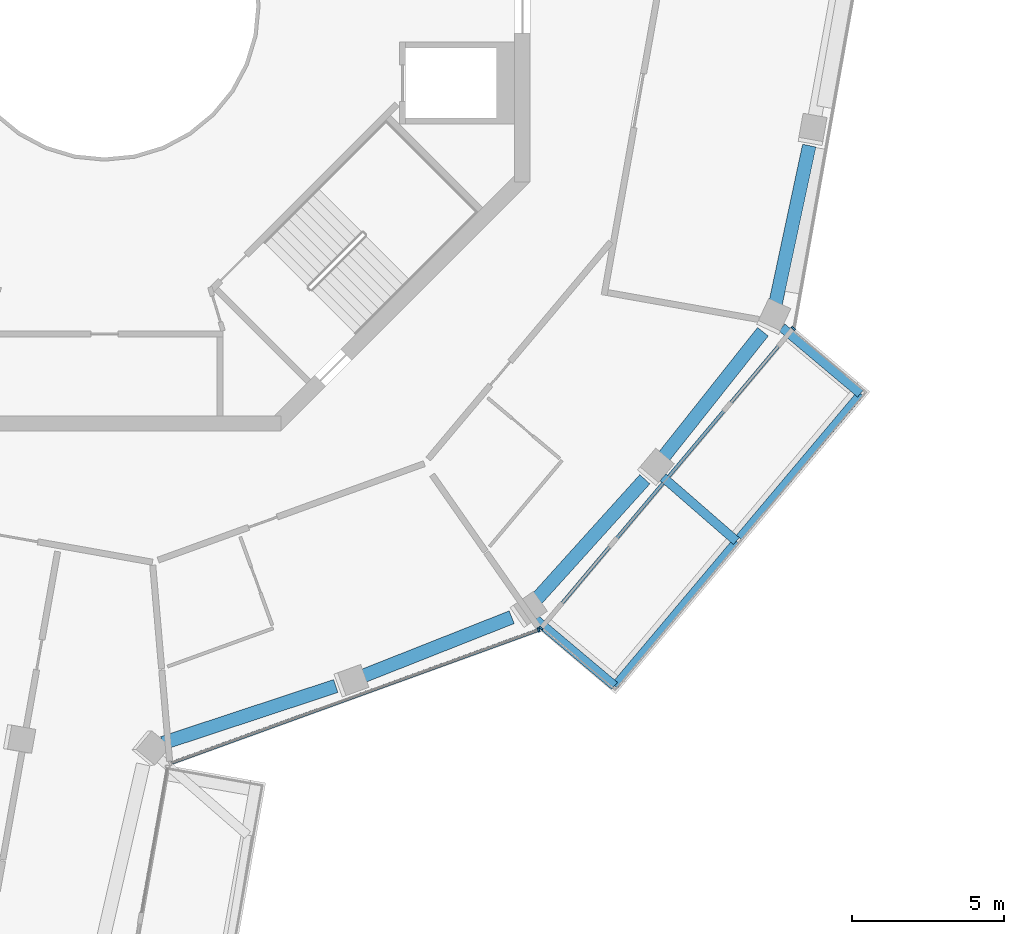
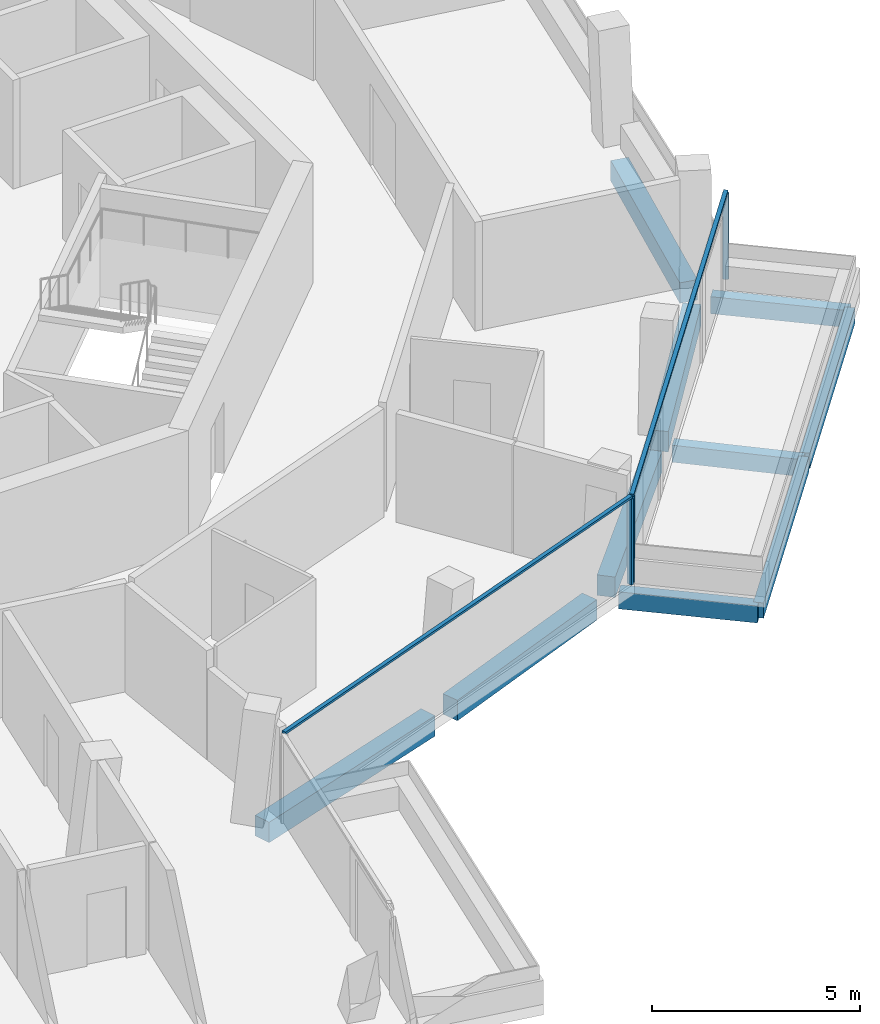
# One storey, part 4 of 22: 10 beams, 5 members, 2 elements without a shape of their own.
"""IFC4 building model written with IfcOpenShell, lengths in metres."""

from ifc_helpers import new_model, si_unit, direction, frame, origin, origin_2d, place, context, subcontext, project, spatial, rectangle, extrude, material, layer, layer_set, material_profile, profile_set, type_object, element, aggregate, save


model = new_model("IFC4")

# Units and contexts
model_context = context("Model", 3, precision=1e-05, world=origin(), true_north=direction((0.0, 1.0)))
body_context = subcontext(model_context, "Body", "Model", "MODEL_VIEW")
ifc_project = project(units=[si_unit("LENGTHUNIT", "METRE"), si_unit("AREAUNIT", "SQUARE_METRE"), si_unit("VOLUMEUNIT", "CUBIC_METRE"), si_unit("PLANEANGLEUNIT", "RADIAN"), si_unit("MASSUNIT", "GRAM", prefix="KILO")], contexts=[model_context])

# Site, building, storey
site_placement = place(None, origin())
site = spatial("IfcSite", under=ifc_project, at=site_placement, CompositionType="ELEMENT")
building_placement = place(site_placement, origin())
building = spatial("IfcBuilding", under=site, at=building_placement, Name="Verdalira Terraces Hotel", CompositionType="ELEMENT")
storey_placement = place(building_placement, frame((0.0, 0.0, 237.5)))
storey = spatial("IfcBuildingStorey", under=building, at=storey_placement, Name="L58", CompositionType="ELEMENT", Elevation=237.5)

# Beams
ifc_material_1 = material(Name="Concrete C40", Category="concrete")
ifc_material_profile_1 = material_profile(ifc_material_1, rectangle(XDim=0.300049, YDim=0.5, at=origin_2d()), Name="RC 300X500")
ifc_profile_set_1 = profile_set([ifc_material_profile_1], Name="Concrete C40")
beam_type_1 = type_object("IfcBeamType", Name="Balcony cantilever beam RC 300X500 C40", PredefinedType="BEAM", material=ifc_profile_set_1)
beam_1_placement = place(storey_placement, frame((14.190674, -20.201416, -0.560059), z_axis=(0.765116378, -0.643892016, 0.0), x_axis=(0.643892016, 0.765116378, 0.0)))
element("IfcBeam", 1, at=beam_1_placement, inside=storey, type_object=beam_type_1, Name="Balcony cantilever beam R26-1", PredefinedType="BEAM", context=body_context, shape_type="SweptSolid", body=[
    extrude(rectangle(XDim=0.300049, YDim=0.5, at=origin_2d()), origin(), (0.0, 0.0, 1.0), 3.393555),
])
beam_2_placement = place(storey_placement, frame((18.381104, -15.521973, -0.560059), z_axis=(0.754237561, -0.656601631, 0.0), x_axis=(0.656601631, 0.754237561, 0.0)))
element("IfcBeam", 2, at=beam_2_placement, inside=storey, type_object=beam_type_1, Name="Balcony cantilever beam R26-2", PredefinedType="BEAM", context=body_context, shape_type="SweptSolid", body=[
    extrude(rectangle(XDim=0.300049, YDim=0.5, at=origin_2d()), origin(), (0.0, 0.0, 1.0), 3.200684),
])
beam_3_placement = place(storey_placement, frame((22.295898, -10.592285, -0.560059), z_axis=(0.765162235, -0.643837521, 0.0), x_axis=(0.643837521, 0.765162235, 0.0)))
element("IfcBeam", 3, at=beam_3_placement, inside=storey, type_object=beam_type_1, Name="Balcony cantilever beam R26-3", PredefinedType="BEAM", context=body_context, shape_type="SweptSolid", body=[
    extrude(rectangle(XDim=0.300049, YDim=0.5, at=origin_2d()), origin(), (0.0, 0.0, 1.0), 3.378662),
])
ifc_material_2 = material(Name="Concrete C40", Category="concrete")
ifc_material_profile_2 = material_profile(ifc_material_2, rectangle(XDim=0.25, YDim=0.449951, at=origin_2d()), Name="RC 250X450")
ifc_profile_set_2 = profile_set([ifc_material_profile_2], Name="Concrete C40")
beam_type_2 = type_object("IfcBeamType", Name="Balcony edge beam RC 250X450 C40", PredefinedType="BEAM", material=ifc_profile_set_2)
beam_4_placement = place(storey_placement, frame((16.787109, -22.386475, -0.534912), z_axis=(0.643868797, 0.765135918, 0.0), x_axis=(-0.765135918, 0.643868797, 0.0)))
element("IfcBeam", 4, at=beam_4_placement, inside=storey, type_object=beam_type_2, Name="Balcony edge beam R26-1", PredefinedType="BEAM", context=body_context, shape_type="SweptSolid", body=[
    extrude(rectangle(XDim=0.25, YDim=0.449951, at=origin_2d()), origin(), (0.0, 0.0, 1.0), 6.224854),
])
beam_5_placement = place(storey_placement, frame((20.891846, -17.508789, -0.534912), z_axis=(0.643820224, 0.76517679, 0.0), x_axis=(-0.76517679, 0.643820224, 0.0)))
element("IfcBeam", 5, at=beam_5_placement, inside=storey, type_object=beam_type_2, Name="Balcony edge beam R26-2", PredefinedType="BEAM", context=body_context, shape_type="SweptSolid", body=[
    extrude(rectangle(XDim=0.25, YDim=0.449951, at=origin_2d()), origin(), (0.0, 0.0, 1.0), 6.196289),
])

# Curtain wall, member
ifc_material_3 = material(Name="Clear glass", Category="glass")
ifc_layer = layer(ifc_material_3, 0.14990234375)
ifc_layer_set = layer_set([ifc_layer], Name="CW1 curtain wall")
curtain_wall_type = type_object("IfcCurtainWallType", Name="CW1 curtain wall", PredefinedType="NOTDEFINED", material=ifc_layer_set)
curtain_wall_1_placement = place(storey_placement, origin())
curtain_wall_1 = element("IfcCurtainWall", 6, at=curtain_wall_1_placement, inside=storey, type_object=curtain_wall_type, Name="CW1 curtain wall L58 edge 25", PredefinedType="NOTDEFINED")
ifc_material_4 = material(Name="Terracotta frame", Category="masonry")
ifc_material_profile_3 = material_profile(ifc_material_4, rectangle(XDim=0.060059, YDim=0.149902, at=origin_2d()), Name="MU 60x150")
ifc_profile_set_3 = profile_set([ifc_material_profile_3], Name="Terracotta frame")
member_type_1 = type_object("IfcMemberType", Name="CW1 mullion 60x150", PredefinedType="MULLION", material=ifc_profile_set_3)
member_1_placement = place(storey_placement, frame((14.284668, -20.545654, 0.0), z_axis=(0.0, 0.0, 1.0), x_axis=(0.940169255, 0.340707752, 0.0)))
member_1 = element("IfcMember", 7, at=member_1_placement, type_object=member_type_1, Name="CW1 mullion", PredefinedType="MULLION", context=body_context, shape_type="SweptSolid", body=[
    extrude(rectangle(XDim=0.060059, YDim=0.149902, at=origin_2d()), origin(), (0.0, 0.0, 1.0), 2.524902),
])

# Curtain wall, members
curtain_wall_2_placement = place(storey_placement, origin())
curtain_wall_2 = element("IfcCurtainWall", 8, at=curtain_wall_2_placement, inside=storey, type_object=curtain_wall_type, Name="CW1 curtain wall L58 edge 26", PredefinedType="NOTDEFINED")
member_2_placement = place(storey_placement, frame((14.364014, -20.490234, 0.0), z_axis=(0.0, 0.0, 1.0), x_axis=(0.643856583, 0.765146196, 0.0)))
member_2 = element("IfcMember", 9, at=member_2_placement, type_object=member_type_1, Name="CW1 mullion", PredefinedType="MULLION", context=body_context, shape_type="SweptSolid", body=[
    extrude(rectangle(XDim=0.060059, YDim=0.149902, at=origin_2d()), origin(), (0.0, 0.0, 1.0), 2.524902),
])
member_3_placement = place(storey_placement, frame((22.669434, -10.620117, 0.0), z_axis=(0.0, 0.0, 1.0), x_axis=(0.643856583, 0.765146196, 0.0)))
member_3 = element("IfcMember", 10, at=member_3_placement, type_object=member_type_1, Name="CW1 mullion", PredefinedType="MULLION", context=body_context, shape_type="SweptSolid", body=[
    extrude(rectangle(XDim=0.060059, YDim=0.149902, at=origin_2d()), origin(), (0.0, 0.0, 1.0), 2.524902),
])

# Member
ifc_material_5 = material(Name="Terracotta frame", Category="masonry")
ifc_material_profile_4 = material_profile(ifc_material_5, rectangle(XDim=0.110107, YDim=0.064941, at=origin_2d()), Name="TR 65x110")
ifc_profile_set_4 = profile_set([ifc_material_profile_4], Name="Terracotta frame")
member_type_2 = type_object("IfcMemberType", Name="CW1 transom 65x110", PredefinedType="USERDEFINED", material=ifc_profile_set_4)
member_4_placement = place(storey_placement, frame((2.128418, -24.950928, 2.557617), z_axis=(0.940167975, 0.340711283, 0.0), x_axis=(-0.340711283, 0.940167975, 0.0)))
member_4 = element("IfcMember", 11, at=member_4_placement, type_object=member_type_2, Name="CW1 transom", ObjectType="TRANSOM", PredefinedType="USERDEFINED", context=body_context, shape_type="SweptSolid", body=[
    extrude(rectangle(XDim=0.110107, YDim=0.064941, at=origin_2d()), origin(), (0.0, 0.0, 1.0), 12.959717),
])

aggregate(curtain_wall_1, [member_1, member_4])

member_5_placement = place(storey_placement, frame((14.344482, -20.513184, 2.557617), z_axis=(0.643871759, 0.765133425, 0.0), x_axis=(-0.765133425, 0.643871759, 0.0)))
member_5 = element("IfcMember", 12, at=member_5_placement, type_object=member_type_2, Name="CW1 transom", ObjectType="TRANSOM", PredefinedType="USERDEFINED", context=body_context, shape_type="SweptSolid", body=[
    extrude(rectangle(XDim=0.110107, YDim=0.064941, at=origin_2d()), origin(), (0.0, 0.0, 1.0), 12.959961),
])

aggregate(curtain_wall_2, [member_2, member_3, member_5])

# Beams
ifc_material_6 = material(Name="Concrete C40", Category="concrete")
ifc_material_profile_5 = material_profile(ifc_material_6, rectangle(XDim=0.449951, YDim=0.600098, at=origin_2d()), Name="RC 450X600")
ifc_profile_set_5 = profile_set([ifc_material_profile_5], Name="Concrete C40")
beam_type_3 = type_object("IfcBeamType", Name="Spandrel beam RC 450X600 C40", PredefinedType="SPANDREL", material=ifc_profile_set_5)
beam_6_placement = place(storey_placement, frame((1.913818, -24.273438, -0.610107), z_axis=(0.94959086, 0.313491943, 0.0), x_axis=(-0.313491943, 0.94959086, 0.0)))
element("IfcBeam", 13, at=beam_6_placement, inside=storey, type_object=beam_type_3, Name="Spandrel beam B11", PredefinedType="SPANDREL", context=body_context, shape_type="SweptSolid", body=[
    extrude(rectangle(XDim=0.449951, YDim=0.600098, at=origin_2d()), origin(), (0.0, 0.0, 1.0), 5.999756),
])
beam_7_placement = place(storey_placement, frame((8.384033, -22.112305, -0.610107), z_axis=(0.929933368, 0.367728068, 0.0), x_axis=(-0.367728068, 0.929933368, 0.0)))
element("IfcBeam", 14, at=beam_7_placement, inside=storey, type_object=beam_type_3, Name="Spandrel beam B12", PredefinedType="SPANDREL", context=body_context, shape_type="SweptSolid", body=[
    extrude(rectangle(XDim=0.449951, YDim=0.600098, at=origin_2d()), origin(), (0.0, 0.0, 1.0), 5.394287),
])
beam_8_placement = place(storey_placement, frame((14.168213, -19.593506, -0.610107), z_axis=(0.670061205, 0.742305854, 0.0), x_axis=(-0.742305854, 0.670061205, 0.0)))
element("IfcBeam", 15, at=beam_8_placement, inside=storey, type_object=beam_type_3, Name="Spandrel beam B13", PredefinedType="SPANDREL", context=body_context, shape_type="SweptSolid", body=[
    extrude(rectangle(XDim=0.449951, YDim=0.600098, at=origin_2d()), origin(), (0.0, 0.0, 1.0), 5.396729),
])
beam_9_placement = place(storey_placement, frame((18.316895, -14.957764, -0.610107), z_axis=(0.621488593, 0.783423212, 0.0), x_axis=(-0.783423212, 0.621488593, 0.0)))
element("IfcBeam", 16, at=beam_9_placement, inside=storey, type_object=beam_type_3, Name="Spandrel beam B14", PredefinedType="SPANDREL", context=body_context, shape_type="SweptSolid", body=[
    extrude(rectangle(XDim=0.449951, YDim=0.600098, at=origin_2d()), origin(), (0.0, 0.0, 1.0), 5.394287),
])
beam_10_placement = place(storey_placement, frame((22.066895, -9.884277, -0.610107), z_axis=(0.209087285, 0.977896982, 0.0), x_axis=(-0.977896982, 0.209087285, 0.0)))
element("IfcBeam", 17, at=beam_10_placement, inside=storey, type_object=beam_type_3, Name="Spandrel beam B15", PredefinedType="SPANDREL", context=body_context, shape_type="SweptSolid", body=[
    extrude(rectangle(XDim=0.449951, YDim=0.600098, at=origin_2d()), origin(), (0.0, 0.0, 1.0), 5.396973),
])

save(model, "model.ifc")
